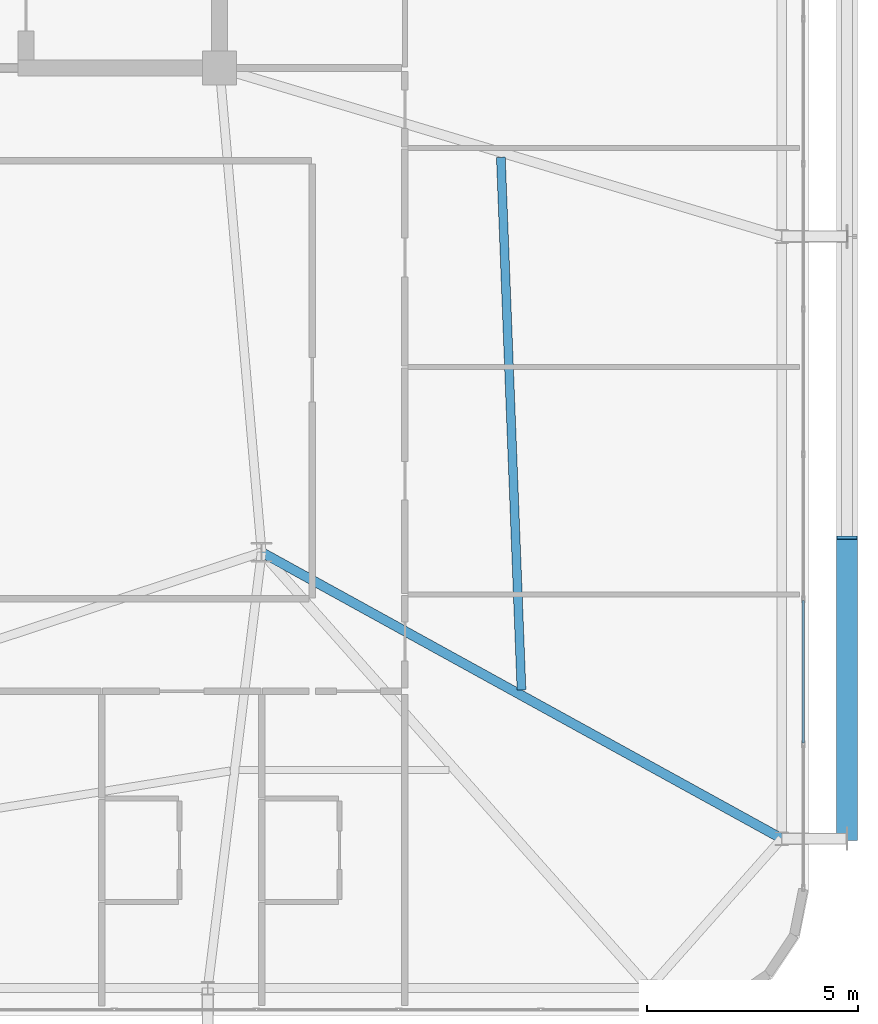
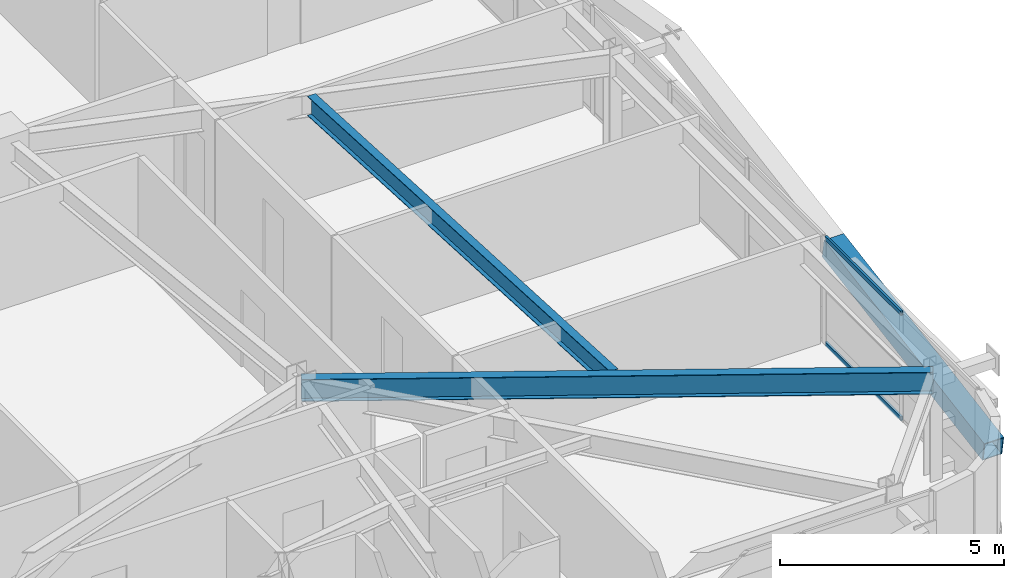
# One storey, part 25 of 58: 3 members, 2 beams, 1 element without a shape of its own.
"""IFC4 building model written with IfcOpenShell, lengths in metres."""

from ifc_helpers import new_model, si_unit, direction, frame, origin, origin_2d, place, context, subcontext, project, spatial, hollow_rectangle, i_section, extrude, source, transform, mapped, material, layer, layer_set, material_profile, profile_set, type_object, element, aggregate, save


model = new_model("IFC4")

# Units and contexts
model_context = context("Model", 3, precision=1e-05, world=origin(), true_north=direction((0.0, 1.0)))
body_context = subcontext(model_context, "Body", "Model", "MODEL_VIEW")
ifc_project = project(units=[si_unit("LENGTHUNIT", "METRE"), si_unit("AREAUNIT", "SQUARE_METRE"), si_unit("VOLUMEUNIT", "CUBIC_METRE"), si_unit("PLANEANGLEUNIT", "RADIAN"), si_unit("MASSUNIT", "GRAM", prefix="KILO")], contexts=[model_context])

# Site, building, storey
site_placement = place(None, origin())
site = spatial("IfcSite", under=ifc_project, at=site_placement, CompositionType="ELEMENT")
building_placement = place(site_placement, origin())
building = spatial("IfcBuilding", under=site, at=building_placement, Name="Taldren Reach Tower", CompositionType="ELEMENT")
storey_placement = place(building_placement, frame((0.0, 0.0, 54.60009765625)))
storey = spatial("IfcBuildingStorey", under=building, at=storey_placement, Name="L16", CompositionType="ELEMENT", Elevation=54.60009765625)

# Beams
ifc_material_1 = material(Name="Steel Gr 350 (350PLUS)", Category="steel")
ifc_material_profile_1 = material_profile(ifc_material_1, i_section(OverallWidth=0.22802734375, OverallDepth=0.60205078125, WebThickness=0.010498046875, FlangeThickness=0.014892578125, at=origin_2d()), Name="610UB101")
ifc_profile_set_1 = profile_set([ifc_material_profile_1], Name="Steel Gr 350 (350PLUS)")
beam_type_1 = type_object("IfcBeamType", Name="BM-UB610B", PredefinedType="BEAM", material=ifc_profile_set_1)
shared_shape_1 = source(origin(), body_context, "Body", "SweptSolid", [
    extrude(i_section(OverallWidth=0.22802734375, OverallDepth=0.60205078125, WebThickness=0.010498046875, FlangeThickness=0.014892578125, at=origin_2d()), origin(), (0.0, 0.0, 1.0), 14.098388671875),
])
beam_1_placement = place(storey_placement, frame((52.0, 12.5, 2.62890625), z_axis=(0.875991325783, -0.482326857175, 0.0), x_axis=(0.482326857175, 0.875991325783, 0.0)))
element("IfcBeam", 1, at=beam_1_placement, inside=storey, type_object=beam_type_1, Name="Primary floor girder B1-E1 L16", PredefinedType="BEAM", context=body_context, shape_type="MappedRepresentation", body=[
    mapped(shared_shape_1, transform((0.0, 0.0, 0.0), scale=1.0)),
])
ifc_material_profile_2 = material_profile(ifc_material_1, i_section(OverallWidth=0.208984375, OverallDepth=0.532958984375, WebThickness=0.01025390625, FlangeThickness=0.015625, at=origin_2d()), Name="530UB92.4")
ifc_profile_set_2 = profile_set([ifc_material_profile_2], Name="Steel Gr 350 (350PLUS)")
beam_type_2 = type_object("IfcBeamType", Name="BM-UB530A", PredefinedType="BEAM", material=ifc_profile_set_2)
shared_shape_2 = source(origin(), body_context, "Body", "SweptSolid", [
    extrude(i_section(OverallWidth=0.208984375, OverallDepth=0.532958984375, WebThickness=0.01025390625, FlangeThickness=0.015625, at=origin_2d()), origin(), (0.0, 0.0, 1.0), 12.65625),
])
beam_2_placement = place(storey_placement, frame((58.169921875, 9.23291015625, 2.663330078125), z_axis=(-0.0387346395, 0.99924953225, 0.0), x_axis=(-0.99924953225, -0.0387346395, 0.0)))
element("IfcBeam", 2, at=beam_2_placement, inside=storey, type_object=beam_type_2, Name="Secondary floor beam B1 J7 L16", PredefinedType="BEAM", context=body_context, shape_type="MappedRepresentation", body=[
    mapped(shared_shape_2, transform((0.0, 0.0, 0.0), scale=1.0)),
])

# Member
ifc_material_2 = material(Name="Steel Gr 450 (C450L0)", Category="steel")
ifc_material_profile_3 = material_profile(ifc_material_2, hollow_rectangle(XDim=0.510009765625, YDim=0.510009765625, WallThickness=0.02001953125, at=origin_2d()), Name="510x510x20.0SHS")
ifc_profile_set_3 = profile_set([ifc_material_profile_3], Name="Steel Gr 450 (C450L0)")
member_type_1 = type_object("IfcMemberType", Name="MB-EXO508", PredefinedType="BRACE", material=ifc_profile_set_3)
shared_shape_3 = source(origin(), body_context, "Body", "SweptSolid", [
    extrude(hollow_rectangle(XDim=0.510009765625, YDim=0.510009765625, WallThickness=0.02001953125, at=origin_2d()), origin(), (0.0, 0.0, 1.0), 7.252685546875),
])
member_1_placement = place(storey_placement, frame((65.89990234375, 5.699951171875, 0.219970703125), z_axis=(0.0, 0.985871360071, 0.167504213054), x_axis=(-1.0, 0.0, 0.0)))
element("IfcMember", 3, at=member_1_placement, inside=storey, type_object=member_type_1, Name="Exoskeleton Diagrid Brace B1-E1 L16", PredefinedType="BRACE", context=body_context, shape_type="MappedRepresentation", body=[
    mapped(shared_shape_3, transform((0.0, 0.0, 0.0), scale=1.0)),
])

# Curtain wall, members
ifc_material_3 = material(Name="Aluminium and Low-E Glass Unitised System", Category="aluminium")
ifc_layer = layer(ifc_material_3, 0.159912109375)
ifc_layer_set = layer_set([ifc_layer], Name="Aluminium and Low-E Glass Unitised System")
curtain_wall_type = type_object("IfcCurtainWallType", Name="CW-SYS-2", PredefinedType="NOTDEFINED", material=ifc_layer_set)
curtain_wall_placement = place(storey_placement, origin())
curtain_wall = element("IfcCurtainWall", 4, at=curtain_wall_placement, inside=storey, type_object=curtain_wall_type, Name="Unitised curtain wall CW-L16-E", PredefinedType="NOTDEFINED")
ifc_material_4 = material(Name="Anodised Aluminium 6063-T6", Category="aluminium")
ifc_material_profile_4 = material_profile(ifc_material_4, hollow_rectangle(XDim=0.054931640625, YDim=0.1201171875, WallThickness=0.0029296875, at=origin_2d()), Name="ALU-120x55x3RHS")
ifc_profile_set_4 = profile_set([ifc_material_profile_4], Name="Anodised Aluminium 6063-T6")
member_type_2 = type_object("IfcMemberType", Name="CW-TRN-135", PredefinedType="USERDEFINED", material=ifc_profile_set_4)
shared_shape_4 = source(origin(), body_context, "Body", "SweptSolid", [
    extrude(hollow_rectangle(XDim=0.054931640625, YDim=0.1201171875, WallThickness=0.0029296875, at=origin_2d()), origin(), (0.0, 0.0, 1.0), 3.37939453125),
])
member_2_placement = place(storey_placement, frame((64.860107421875, 7.97705078125, 0.02734375), z_axis=(0.0, 1.0, 0.0), x_axis=(-1.0, 0.0, 0.0)))
member_2 = element("IfcMember", 5, at=member_2_placement, type_object=member_type_2, Name="CW-2 transom 2.1", ObjectType="TRANSOM", PredefinedType="USERDEFINED", context=body_context, shape_type="MappedRepresentation", body=[
    mapped(shared_shape_4, transform((0.0, 0.0, 0.0), scale=1.0)),
])
member_3_placement = place(storey_placement, frame((64.860107421875, 7.97705078125, 2.90234375), z_axis=(0.0, 1.0, 0.0), x_axis=(-1.0, 0.0, 0.0)))
member_3 = element("IfcMember", 6, at=member_3_placement, type_object=member_type_2, Name="CW-2 transom 2.2", ObjectType="TRANSOM", PredefinedType="USERDEFINED", context=body_context, shape_type="MappedRepresentation", body=[
    mapped(shared_shape_4, transform((0.0, 0.0, 0.0), scale=1.0)),
])
aggregate(curtain_wall, [member_2, member_3])

save(model, "model.ifc")
